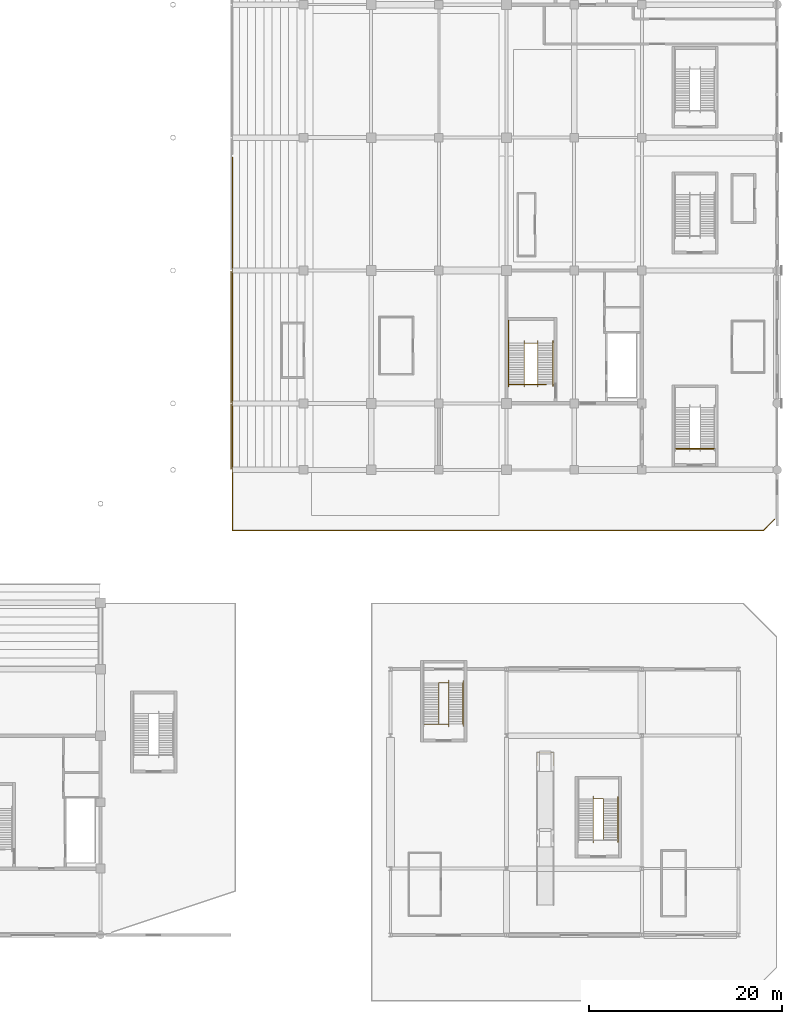
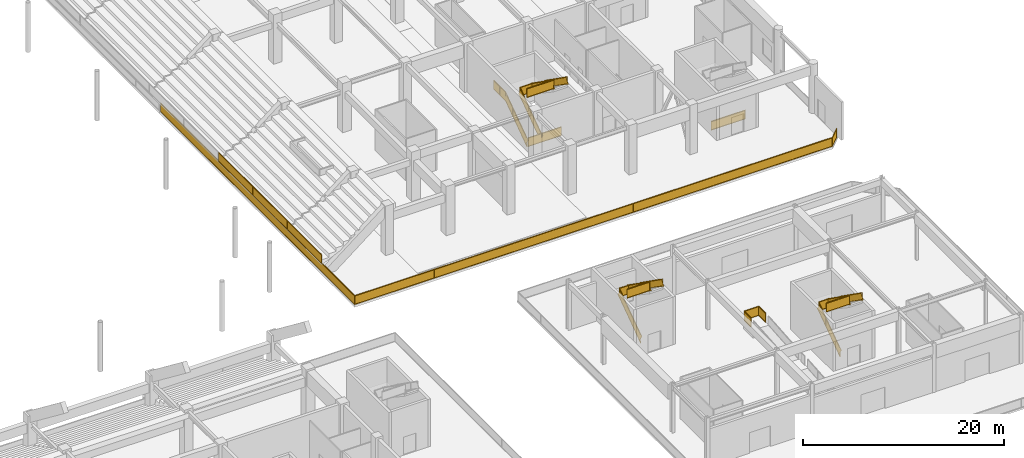
# One storey, part 64 of 73: 14 railings.
"""IFC4 building model written with IfcOpenShell, lengths in metres."""

from ifc_helpers import new_model, si_unit, direction, frame, origin, origin_2d, place, context, subcontext, project, spatial, rectangle, extrude, material, type_object, element, save


model = new_model("IFC4")

# Units and contexts
model_context = context("Model", 3, precision=1e-05, world=origin(), true_north=direction((0.0, 1.0)))
body_context = subcontext(model_context, "Body", "Model", "MODEL_VIEW")
ifc_project = project(units=[si_unit("LENGTHUNIT", "METRE"), si_unit("AREAUNIT", "SQUARE_METRE"), si_unit("VOLUMEUNIT", "CUBIC_METRE"), si_unit("PLANEANGLEUNIT", "RADIAN"), si_unit("MASSUNIT", "GRAM", prefix="KILO")], contexts=[model_context])

# Site, building, storey
site_placement = place(None, origin())
site = spatial("IfcSite", under=ifc_project, at=site_placement, CompositionType="ELEMENT")
building_placement = place(site_placement, origin())
building = spatial("IfcBuilding", under=site, at=building_placement, Name="Linyun Crest Stadium", CompositionType="ELEMENT")
storey_placement = place(building_placement, origin())
storey = spatial("IfcBuildingStorey", under=building, at=storey_placement, Name="L01", CompositionType="ELEMENT", Elevation=0.0)

# Railings
ifc_material_1 = material(Name="Verdigris painted steel botanical balustrade", Category="steel")
railing_type_1 = type_object("IfcRailingType", Name="GR01", PredefinedType="BALUSTRADE", material=ifc_material_1)
railing_1_placement = place(storey_placement, frame((73.159912109375, -76.6220703125, 1.0)))
element("IfcRailing", 1, at=railing_1_placement, inside=storey, type_object=railing_type_1, Name="Slab edge balustrade GR01 405", PredefinedType="BALUSTRADE", context=body_context, shape_type="SweptSolid", body=[
    extrude(rectangle(XDim=0.06005859375, YDim=0.06005859375, at=origin_2d()), frame((0.0, 0.0, 1.119873046875), z_axis=(0.0, 1.0, 0.0), x_axis=(-1.0, 0.0, 0.0)), (0.0, 0.0, 1.0), 1.362060546875),
    extrude(rectangle(XDim=0.030029296875, YDim=1.02978515625, at=origin_2d()), frame((0.0, 0.0, 0.574951171875), z_axis=(0.0, 1.0, 0.0), x_axis=(-1.0, 0.0, 0.0)), (0.0, 0.0, 1.0), 1.362060546875),
    extrude(rectangle(XDim=0.06005859375, YDim=0.06005859375, at=origin_2d()), frame((0.0, 0.0, 0.030029296875), z_axis=(0.0, 1.0, 0.0), x_axis=(-1.0, 0.0, 0.0)), (0.0, 0.0, 1.0), 1.362060546875),
    extrude(rectangle(XDim=0.06005859375, YDim=0.06005859375, at=origin_2d()), frame((0.0, 1.362060546875, 1.119873046875), z_axis=(1.0, 0.0, 0.0), x_axis=(0.0, 1.0, 0.0)), (0.0, 0.0, 1.0), 1.68017578125),
    extrude(rectangle(XDim=0.030029296875, YDim=1.02978515625, at=origin_2d()), frame((0.0, 1.362060546875, 0.574951171875), z_axis=(1.0, 0.0, 0.0), x_axis=(0.0, 1.0, 0.0)), (0.0, 0.0, 1.0), 1.68017578125),
    extrude(rectangle(XDim=0.06005859375, YDim=0.06005859375, at=origin_2d()), frame((0.0, 1.362060546875, 0.030029296875), z_axis=(1.0, 0.0, 0.0), x_axis=(0.0, 1.0, 0.0)), (0.0, 0.0, 1.0), 1.68017578125),
    extrude(rectangle(XDim=0.06005859375, YDim=0.06005859375, at=origin_2d()), frame((1.68017578125, 1.362060546875, 1.119873046875), z_axis=(0.0, -1.0, 0.0), x_axis=(1.0, 0.0, 0.0)), (0.0, 0.0, 1.0), 1.362060546875),
    extrude(rectangle(XDim=0.030029296875, YDim=1.02978515625, at=origin_2d()), frame((1.68017578125, 1.362060546875, 0.574951171875), z_axis=(0.0, -1.0, 0.0), x_axis=(1.0, 0.0, 0.0)), (0.0, 0.0, 1.0), 1.362060546875),
    extrude(rectangle(XDim=0.06005859375, YDim=0.06005859375, at=origin_2d()), frame((1.68017578125, 1.362060546875, 0.030029296875), z_axis=(0.0, -1.0, 0.0), x_axis=(1.0, 0.0, 0.0)), (0.0, 0.0, 1.0), 1.362060546875),
    extrude(rectangle(XDim=0.050048828125, YDim=0.050048828125, at=origin_2d()), origin(), (0.0, 0.0, 1.0), 1.14990234375),
    extrude(rectangle(XDim=0.050048828125, YDim=0.050048828125, at=origin_2d()), frame((0.0, 1.362060546875, 0.0)), (0.0, 0.0, 1.0), 1.14990234375),
    extrude(rectangle(XDim=0.050048828125, YDim=0.050048828125, at=origin_2d()), frame((1.68017578125, 1.362060546875, 0.0)), (0.0, 0.0, 1.0), 1.14990234375),
    extrude(rectangle(XDim=0.050048828125, YDim=0.050048828125, at=origin_2d()), frame((1.68017578125, 0.0, 0.0)), (0.0, 0.0, 1.0), 1.14990234375),
])
ifc_material_2 = material(Name="Galvanized and powder-coated steel bowl safety barrier", Category="steel")
railing_type_2 = type_object("IfcRailingType", Name="GR02", PredefinedType="GUARDRAIL", material=ifc_material_2)
railing_2_placement = place(storey_placement, frame((41.5, -45.919921875, 1.199951171875)))
element("IfcRailing", 2, at=railing_2_placement, inside=storey, type_object=railing_type_2, Name="Bowl front safety guard GR02 5", PredefinedType="GUARDRAIL", context=body_context, shape_type="SweptSolid", body=[
    extrude(rectangle(XDim=0.06005859375, YDim=0.06005859375, at=origin_2d()), frame((0.0, 0.0, 1.090087890625), z_axis=(0.0, 1.0, 0.0), x_axis=(-1.0, 0.0, 0.0)), (0.0, 0.0, 1.0), 6.71484375),
    extrude(rectangle(XDim=0.030029296875, YDim=1.0, at=origin_2d()), frame((0.0, 0.0, 0.56005859375), z_axis=(0.0, 1.0, 0.0), x_axis=(-1.0, 0.0, 0.0)), (0.0, 0.0, 1.0), 6.71484375),
    extrude(rectangle(XDim=0.06005859375, YDim=0.06005859375, at=origin_2d()), frame((0.0, 0.0, 0.030029296875), z_axis=(0.0, 1.0, 0.0), x_axis=(-1.0, 0.0, 0.0)), (0.0, 0.0, 1.0), 6.71484375),
    extrude(rectangle(XDim=0.050048828125, YDim=0.050048828125, at=origin_2d()), origin(), (0.0, 0.0, 1.0), 1.1201171875),
    extrude(rectangle(XDim=0.050048828125, YDim=0.050048828125, at=origin_2d()), frame((0.0, 2.23828125, 0.0)), (0.0, 0.0, 1.0), 1.1201171875),
    extrude(rectangle(XDim=0.050048828125, YDim=0.050048828125, at=origin_2d()), frame((0.0, 4.4765625, 0.0)), (0.0, 0.0, 1.0), 1.1201171875),
    extrude(rectangle(XDim=0.050048828125, YDim=0.050048828125, at=origin_2d()), frame((0.0, 6.71484375, 0.0)), (0.0, 0.0, 1.0), 1.1201171875),
])
railing_3_placement = place(storey_placement, frame((41.5, -39.044921875, 1.199951171875)))
element("IfcRailing", 3, at=railing_3_placement, inside=storey, type_object=railing_type_2, Name="Bowl front safety guard GR02 13", PredefinedType="GUARDRAIL", context=body_context, shape_type="SweptSolid", body=[
    extrude(rectangle(XDim=0.06005859375, YDim=0.06005859375, at=origin_2d()), frame((0.0, 0.0, 1.090087890625), z_axis=(0.0, 1.0, 0.0), x_axis=(-1.0, 0.0, 0.0)), (0.0, 0.0, 1.0), 13.58984375),
    extrude(rectangle(XDim=0.030029296875, YDim=1.0, at=origin_2d()), frame((0.0, 0.0, 0.56005859375), z_axis=(0.0, 1.0, 0.0), x_axis=(-1.0, 0.0, 0.0)), (0.0, 0.0, 1.0), 13.58984375),
    extrude(rectangle(XDim=0.06005859375, YDim=0.06005859375, at=origin_2d()), frame((0.0, 0.0, 0.030029296875), z_axis=(0.0, 1.0, 0.0), x_axis=(-1.0, 0.0, 0.0)), (0.0, 0.0, 1.0), 13.58984375),
    extrude(rectangle(XDim=0.050048828125, YDim=0.050048828125, at=origin_2d()), origin(), (0.0, 0.0, 1.0), 1.1201171875),
    extrude(rectangle(XDim=0.050048828125, YDim=0.050048828125, at=origin_2d()), frame((0.0, 2.264892578125, 0.0)), (0.0, 0.0, 1.0), 1.1201171875),
    extrude(rectangle(XDim=0.050048828125, YDim=0.050048828125, at=origin_2d()), frame((0.0, 4.530029296875, 0.0)), (0.0, 0.0, 1.0), 1.1201171875),
    extrude(rectangle(XDim=0.050048828125, YDim=0.050048828125, at=origin_2d()), frame((0.0, 6.794921875, 0.0)), (0.0, 0.0, 1.0), 1.1201171875),
    extrude(rectangle(XDim=0.050048828125, YDim=0.050048828125, at=origin_2d()), frame((0.0, 9.059814453125, 0.0)), (0.0, 0.0, 1.0), 1.1201171875),
    extrude(rectangle(XDim=0.050048828125, YDim=0.050048828125, at=origin_2d()), frame((0.0, 11.324951171875, 0.0)), (0.0, 0.0, 1.0), 1.1201171875),
    extrude(rectangle(XDim=0.050048828125, YDim=0.050048828125, at=origin_2d()), frame((0.0, 13.58984375, 0.0)), (0.0, 0.0, 1.0), 1.1201171875),
])
railing_4_placement = place(storey_placement, frame((41.659912109375, -52.27490234375, 0.0)))
element("IfcRailing", 4, at=railing_4_placement, inside=storey, type_object=railing_type_2, Name="Slab edge balustrade GR02 100", PredefinedType="GUARDRAIL", context=body_context, shape_type="SweptSolid", body=[
    extrude(rectangle(XDim=0.06005859375, YDim=0.06005859375, at=origin_2d()), frame((0.0, 0.0, 1.090087890625), z_axis=(0.0, 1.0, 0.0), x_axis=(-1.0, 0.0, 0.0)), (0.0, 0.0, 1.0), 38.60498046875),
    extrude(rectangle(XDim=0.030029296875, YDim=1.0, at=origin_2d()), frame((0.0, 0.0, 0.56005859375), z_axis=(0.0, 1.0, 0.0), x_axis=(-1.0, 0.0, 0.0)), (0.0, 0.0, 1.0), 38.60498046875),
    extrude(rectangle(XDim=0.06005859375, YDim=0.06005859375, at=origin_2d()), frame((0.0, 0.0, 0.030029296875), z_axis=(0.0, 1.0, 0.0), x_axis=(-1.0, 0.0, 0.0)), (0.0, 0.0, 1.0), 38.60498046875),
    extrude(rectangle(XDim=0.050048828125, YDim=0.050048828125, at=origin_2d()), origin(), (0.0, 0.0, 1.0), 1.1201171875),
    extrude(rectangle(XDim=0.050048828125, YDim=0.050048828125, at=origin_2d()), frame((0.0, 4.28955078125, 0.0)), (0.0, 0.0, 1.0), 1.1201171875),
    extrude(rectangle(XDim=0.050048828125, YDim=0.050048828125, at=origin_2d()), frame((0.0, 8.578857421875, 0.0)), (0.0, 0.0, 1.0), 1.1201171875),
    extrude(rectangle(XDim=0.050048828125, YDim=0.050048828125, at=origin_2d()), frame((0.0, 12.868408203125, 0.0)), (0.0, 0.0, 1.0), 1.1201171875),
    extrude(rectangle(XDim=0.050048828125, YDim=0.050048828125, at=origin_2d()), frame((0.0, 17.15771484375, 0.0)), (0.0, 0.0, 1.0), 1.1201171875),
    extrude(rectangle(XDim=0.050048828125, YDim=0.050048828125, at=origin_2d()), frame((0.0, 21.447265625, 0.0)), (0.0, 0.0, 1.0), 1.1201171875),
    extrude(rectangle(XDim=0.050048828125, YDim=0.050048828125, at=origin_2d()), frame((0.0, 25.736572265625, 0.0)), (0.0, 0.0, 1.0), 1.1201171875),
    extrude(rectangle(XDim=0.050048828125, YDim=0.050048828125, at=origin_2d()), frame((0.0, 30.026123046875, 0.0)), (0.0, 0.0, 1.0), 1.1201171875),
    extrude(rectangle(XDim=0.050048828125, YDim=0.050048828125, at=origin_2d()), frame((0.0, 34.3154296875, 0.0)), (0.0, 0.0, 1.0), 1.1201171875),
    extrude(rectangle(XDim=0.050048828125, YDim=0.050048828125, at=origin_2d()), frame((0.0, 38.60498046875, 0.0)), (0.0, 0.0, 1.0), 1.1201171875),
])
railing_5_placement = place(storey_placement, frame((97.739990234375, -51.110107421875, 0.0)))
element("IfcRailing", 5, at=railing_5_placement, inside=storey, type_object=railing_type_2, Name="Slab edge balustrade GR02 103", PredefinedType="GUARDRAIL", context=body_context, shape_type="SweptSolid", body=[
    extrude(rectangle(XDim=0.06005859375, YDim=0.06005859375, at=origin_2d()), frame((0.0, 0.0, 1.090087890625), z_axis=(-0.707180874211, -0.707032680398, 0.0), x_axis=(0.707032680398, -0.707180874211, 0.0)), (0.0, 0.0, 1.0), 1.6474609375),
    extrude(rectangle(XDim=0.030029296875, YDim=1.0, at=origin_2d()), frame((0.0, 0.0, 0.56005859375), z_axis=(-0.707180874211, -0.707032680398, 0.0), x_axis=(0.707032680398, -0.707180874211, 0.0)), (0.0, 0.0, 1.0), 1.6474609375),
    extrude(rectangle(XDim=0.06005859375, YDim=0.06005859375, at=origin_2d()), frame((0.0, 0.0, 0.030029296875), z_axis=(-0.707180874211, -0.707032680398, 0.0), x_axis=(0.707032680398, -0.707180874211, 0.0)), (0.0, 0.0, 1.0), 1.6474609375),
    extrude(rectangle(XDim=0.06005859375, YDim=0.06005859375, at=origin_2d()), frame((-1.1650390625, -1.164794921875, 1.090087890625), z_axis=(-1.0, 0.0, 0.0), x_axis=(0.0, -1.0, 0.0)), (0.0, 0.0, 1.0), 54.9150390625),
    extrude(rectangle(XDim=0.030029296875, YDim=1.0, at=origin_2d()), frame((-1.1650390625, -1.164794921875, 0.56005859375), z_axis=(-1.0, 0.0, 0.0), x_axis=(0.0, -1.0, 0.0)), (0.0, 0.0, 1.0), 54.9150390625),
    extrude(rectangle(XDim=0.06005859375, YDim=0.06005859375, at=origin_2d()), frame((-1.1650390625, -1.164794921875, 0.030029296875), z_axis=(-1.0, 0.0, 0.0), x_axis=(0.0, -1.0, 0.0)), (0.0, 0.0, 1.0), 54.9150390625),
    extrude(rectangle(XDim=0.050048828125, YDim=0.050048828125, at=origin_2d()), origin(), (0.0, 0.0, 1.0), 1.1201171875),
    extrude(rectangle(XDim=0.050048828125, YDim=0.050048828125, at=origin_2d()), frame((-1.1650390625, -1.164794921875, 0.0)), (0.0, 0.0, 1.0), 1.1201171875),
    extrude(rectangle(XDim=0.050048828125, YDim=0.050048828125, at=origin_2d()), frame((-5.7412109375, -1.164794921875, 0.0)), (0.0, 0.0, 1.0), 1.1201171875),
    extrude(rectangle(XDim=0.050048828125, YDim=0.050048828125, at=origin_2d()), frame((-10.317626953125, -1.164794921875, 0.0)), (0.0, 0.0, 1.0), 1.1201171875),
    extrude(rectangle(XDim=0.050048828125, YDim=0.050048828125, at=origin_2d()), frame((-14.893798828125, -1.164794921875, 0.0)), (0.0, 0.0, 1.0), 1.1201171875),
    extrude(rectangle(XDim=0.050048828125, YDim=0.050048828125, at=origin_2d()), frame((-19.469970703125, -1.164794921875, 0.0)), (0.0, 0.0, 1.0), 1.1201171875),
    extrude(rectangle(XDim=0.050048828125, YDim=0.050048828125, at=origin_2d()), frame((-24.04638671875, -1.164794921875, 0.0)), (0.0, 0.0, 1.0), 1.1201171875),
    extrude(rectangle(XDim=0.050048828125, YDim=0.050048828125, at=origin_2d()), frame((-28.62255859375, -1.164794921875, 0.0)), (0.0, 0.0, 1.0), 1.1201171875),
    extrude(rectangle(XDim=0.050048828125, YDim=0.050048828125, at=origin_2d()), frame((-33.19873046875, -1.164794921875, 0.0)), (0.0, 0.0, 1.0), 1.1201171875),
    extrude(rectangle(XDim=0.050048828125, YDim=0.050048828125, at=origin_2d()), frame((-37.775146484375, -1.164794921875, 0.0)), (0.0, 0.0, 1.0), 1.1201171875),
    extrude(rectangle(XDim=0.050048828125, YDim=0.050048828125, at=origin_2d()), frame((-42.351318359375, -1.164794921875, 0.0)), (0.0, 0.0, 1.0), 1.1201171875),
    extrude(rectangle(XDim=0.050048828125, YDim=0.050048828125, at=origin_2d()), frame((-46.927490234375, -1.164794921875, 0.0)), (0.0, 0.0, 1.0), 1.1201171875),
    extrude(rectangle(XDim=0.050048828125, YDim=0.050048828125, at=origin_2d()), frame((-51.50390625, -1.164794921875, 0.0)), (0.0, 0.0, 1.0), 1.1201171875),
    extrude(rectangle(XDim=0.050048828125, YDim=0.050048828125, at=origin_2d()), frame((-56.080078125, -1.164794921875, 0.0)), (0.0, 0.0, 1.0), 1.1201171875),
])
railing_6_placement = place(storey_placement, frame((87.5400390625, -43.81005859375, 0.0)))
element("IfcRailing", 6, at=railing_6_placement, inside=storey, type_object=railing_type_2, Name="Slab edge balustrade GR02 104", PredefinedType="GUARDRAIL", context=body_context, shape_type="SweptSolid", body=[
    extrude(rectangle(XDim=0.06005859375, YDim=0.06005859375, at=origin_2d()), frame((0.0, 0.0, 1.090087890625), z_axis=(1.0, 0.0, 0.0), x_axis=(0.0, 1.0, 0.0)), (0.0, 0.0, 1.0), 3.919921875),
    extrude(rectangle(XDim=0.030029296875, YDim=1.0, at=origin_2d()), frame((0.0, 0.0, 0.56005859375), z_axis=(1.0, 0.0, 0.0), x_axis=(0.0, 1.0, 0.0)), (0.0, 0.0, 1.0), 3.919921875),
    extrude(rectangle(XDim=0.06005859375, YDim=0.06005859375, at=origin_2d()), frame((0.0, 0.0, 0.030029296875), z_axis=(1.0, 0.0, 0.0), x_axis=(0.0, 1.0, 0.0)), (0.0, 0.0, 1.0), 3.919921875),
    extrude(rectangle(XDim=0.050048828125, YDim=0.050048828125, at=origin_2d()), origin(), (0.0, 0.0, 1.0), 1.1201171875),
    extrude(rectangle(XDim=0.050048828125, YDim=0.050048828125, at=origin_2d()), frame((3.919921875, 0.0, 0.0)), (0.0, 0.0, 1.0), 1.1201171875),
])
railing_7_placement = place(storey_placement, frame((70.31494140625, -37.1650390625, 0.0)))
element("IfcRailing", 7, at=railing_7_placement, inside=storey, type_object=railing_type_2, Name="Slab edge balustrade GR02 106", PredefinedType="GUARDRAIL", context=body_context, shape_type="SweptSolid", body=[
    extrude(rectangle(XDim=0.06005859375, YDim=0.06005859375, at=origin_2d()), frame((0.0, 0.0, 1.090087890625), z_axis=(1.0, 0.0, 0.0), x_axis=(0.0, 1.0, 0.0)), (0.0, 0.0, 1.0), 3.78515625),
    extrude(rectangle(XDim=0.030029296875, YDim=1.0, at=origin_2d()), frame((0.0, 0.0, 0.56005859375), z_axis=(1.0, 0.0, 0.0), x_axis=(0.0, 1.0, 0.0)), (0.0, 0.0, 1.0), 3.78515625),
    extrude(rectangle(XDim=0.06005859375, YDim=0.06005859375, at=origin_2d()), frame((0.0, 0.0, 0.030029296875), z_axis=(1.0, 0.0, 0.0), x_axis=(0.0, 1.0, 0.0)), (0.0, 0.0, 1.0), 3.78515625),
    extrude(rectangle(XDim=0.050048828125, YDim=0.050048828125, at=origin_2d()), origin(), (0.0, 0.0, 1.0), 1.1201171875),
    extrude(rectangle(XDim=0.050048828125, YDim=0.050048828125, at=origin_2d()), frame((3.78515625, 0.0, 0.0)), (0.0, 0.0, 1.0), 1.1201171875),
])
ifc_material_3 = material(Name="Painted steel stairwell safety guard", Category="steel")
railing_type_3 = type_object("IfcRailingType", Name="GR03", PredefinedType="GUARDRAIL", material=ifc_material_3)
railing_8_placement = place(storey_placement, frame((70.205078125, -37.135009765625, 0.0)))
element("IfcRailing", 8, at=railing_8_placement, inside=storey, type_object=railing_type_3, Name="STR-04-L01 outer guard", PredefinedType="GUARDRAIL", context=body_context, shape_type="SweptSolid", body=[
    extrude(rectangle(XDim=0.06005859375, YDim=0.06005859375, at=origin_2d()), frame((0.0, 0.0, 1.090087890625), z_axis=(0.0, 0.816967863265, 0.576683197599), x_axis=(-1.0, 0.0, 0.0)), (0.0, 0.0, 1.0), 5.2021484375),
    extrude(rectangle(XDim=0.030029296875, YDim=1.0, at=origin_2d()), frame((0.0, 0.0, 0.56005859375), z_axis=(0.0, 0.816967863265, 0.576683197599), x_axis=(-1.0, 0.0, 0.0)), (0.0, 0.0, 1.0), 5.2021484375),
    extrude(rectangle(XDim=0.06005859375, YDim=0.06005859375, at=origin_2d()), frame((0.0, 0.0, 0.030029296875), z_axis=(0.0, 0.816967863265, 0.576683197599), x_axis=(-1.0, 0.0, 0.0)), (0.0, 0.0, 1.0), 5.2021484375),
    extrude(rectangle(XDim=0.06005859375, YDim=0.06005859375, at=origin_2d()), frame((0.0, 4.25, 4.090087890625), z_axis=(0.0, 1.0, 0.0), x_axis=(-1.0, 0.0, 0.0)), (0.0, 0.0, 1.0), 2.330078125),
    extrude(rectangle(XDim=0.030029296875, YDim=1.0, at=origin_2d()), frame((0.0, 4.25, 3.56005859375), z_axis=(0.0, 1.0, 0.0), x_axis=(-1.0, 0.0, 0.0)), (0.0, 0.0, 1.0), 2.330078125),
    extrude(rectangle(XDim=0.06005859375, YDim=0.06005859375, at=origin_2d()), frame((0.0, 4.25, 3.030029296875), z_axis=(0.0, 1.0, 0.0), x_axis=(-1.0, 0.0, 0.0)), (0.0, 0.0, 1.0), 2.330078125),
    extrude(rectangle(XDim=0.050048828125, YDim=0.050048828125, at=origin_2d()), origin(), (0.0, 0.0, 1.0), 1.1201171875),
    extrude(rectangle(XDim=0.050048828125, YDim=0.050048828125, at=origin_2d()), frame((0.0, 1.416748046875, 1.0)), (0.0, 0.0, 1.0), 1.1201171875),
    extrude(rectangle(XDim=0.050048828125, YDim=0.050048828125, at=origin_2d()), frame((0.0, 2.833251953125, 2.0)), (0.0, 0.0, 1.0), 1.1201171875),
    extrude(rectangle(XDim=0.050048828125, YDim=0.050048828125, at=origin_2d()), frame((0.0, 4.25, 3.0)), (0.0, 0.0, 1.0), 1.1201171875),
    extrude(rectangle(XDim=0.050048828125, YDim=0.050048828125, at=origin_2d()), frame((0.0, 5.4150390625, 3.0)), (0.0, 0.0, 1.0), 1.1201171875),
    extrude(rectangle(XDim=0.050048828125, YDim=0.050048828125, at=origin_2d()), frame((0.0, 6.580078125, 3.0)), (0.0, 0.0, 1.0), 1.1201171875),
])
railing_9_placement = place(storey_placement, frame((71.844970703125, -37.155029296875, 0.0)))
element("IfcRailing", 9, at=railing_9_placement, inside=storey, type_object=railing_type_3, Name="STR-04-L01 inner well guard", PredefinedType="GUARDRAIL", context=body_context, shape_type="SweptSolid", body=[
    extrude(rectangle(XDim=0.06005859375, YDim=0.06005859375, at=origin_2d()), frame((0.0, 0.0, 1.090087890625), z_axis=(0.0, 0.818241657069, 0.574874412926), x_axis=(-1.0, 0.0, 0.0)), (0.0, 0.0, 1.0), 5.218505859375),
    extrude(rectangle(XDim=0.030029296875, YDim=1.0, at=origin_2d()), frame((0.0, 0.0, 0.56005859375), z_axis=(0.0, 0.818241657069, 0.574874412926), x_axis=(-1.0, 0.0, 0.0)), (0.0, 0.0, 1.0), 5.218505859375),
    extrude(rectangle(XDim=0.06005859375, YDim=0.06005859375, at=origin_2d()), frame((0.0, 0.0, 0.030029296875), z_axis=(0.0, 0.818241657069, 0.574874412926), x_axis=(-1.0, 0.0, 0.0)), (0.0, 0.0, 1.0), 5.218505859375),
    extrude(rectangle(XDim=0.06005859375, YDim=0.06005859375, at=origin_2d()), frame((0.0, 4.27001953125, 4.090087890625), z_axis=(1.0, 0.0, 0.0), x_axis=(0.0, 1.0, 0.0)), (0.0, 0.0, 1.0), 1.385009765625),
    extrude(rectangle(XDim=0.030029296875, YDim=1.0, at=origin_2d()), frame((0.0, 4.27001953125, 3.56005859375), z_axis=(1.0, 0.0, 0.0), x_axis=(0.0, 1.0, 0.0)), (0.0, 0.0, 1.0), 1.385009765625),
    extrude(rectangle(XDim=0.06005859375, YDim=0.06005859375, at=origin_2d()), frame((0.0, 4.27001953125, 3.030029296875), z_axis=(1.0, 0.0, 0.0), x_axis=(0.0, 1.0, 0.0)), (0.0, 0.0, 1.0), 1.385009765625),
    extrude(rectangle(XDim=0.06005859375, YDim=0.06005859375, at=origin_2d()), frame((1.385009765625, 4.27001953125, 4.090087890625), z_axis=(0.0, -0.818241657069, 0.574874412926), x_axis=(1.0, 0.0, 0.0)), (0.0, 0.0, 1.0), 5.218505859375),
    extrude(rectangle(XDim=0.030029296875, YDim=1.0, at=origin_2d()), frame((1.385009765625, 4.27001953125, 3.56005859375), z_axis=(0.0, -0.818241657069, 0.574874412926), x_axis=(1.0, 0.0, 0.0)), (0.0, 0.0, 1.0), 5.218505859375),
    extrude(rectangle(XDim=0.06005859375, YDim=0.06005859375, at=origin_2d()), frame((1.385009765625, 4.27001953125, 3.030029296875), z_axis=(0.0, -0.818241657069, 0.574874412926), x_axis=(1.0, 0.0, 0.0)), (0.0, 0.0, 1.0), 5.218505859375),
    extrude(rectangle(XDim=0.06005859375, YDim=0.06005859375, at=origin_2d()), frame((1.385009765625, 0.0, 7.090087890625), z_axis=(-1.0, 0.0, 0.0), x_axis=(0.0, -1.0, 0.0)), (0.0, 0.0, 1.0), 3.034912109375),
    extrude(rectangle(XDim=0.030029296875, YDim=1.0, at=origin_2d()), frame((1.385009765625, 0.0, 6.56005859375), z_axis=(-1.0, 0.0, 0.0), x_axis=(0.0, -1.0, 0.0)), (0.0, 0.0, 1.0), 3.034912109375),
    extrude(rectangle(XDim=0.06005859375, YDim=0.06005859375, at=origin_2d()), frame((1.385009765625, 0.0, 6.030029296875), z_axis=(-1.0, 0.0, 0.0), x_axis=(0.0, -1.0, 0.0)), (0.0, 0.0, 1.0), 3.034912109375),
    extrude(rectangle(XDim=0.050048828125, YDim=0.050048828125, at=origin_2d()), origin(), (0.0, 0.0, 1.0), 1.1201171875),
    extrude(rectangle(XDim=0.050048828125, YDim=0.050048828125, at=origin_2d()), frame((0.0, 1.42333984375, 1.0)), (0.0, 0.0, 1.0), 1.1201171875),
    extrude(rectangle(XDim=0.050048828125, YDim=0.050048828125, at=origin_2d()), frame((0.0, 2.8466796875, 2.0)), (0.0, 0.0, 1.0), 1.1201171875),
    extrude(rectangle(XDim=0.050048828125, YDim=0.050048828125, at=origin_2d()), frame((0.0, 4.27001953125, 3.0)), (0.0, 0.0, 1.0), 1.1201171875),
    extrude(rectangle(XDim=0.050048828125, YDim=0.050048828125, at=origin_2d()), frame((1.385009765625, 4.27001953125, 3.0)), (0.0, 0.0, 1.0), 1.1201171875),
    extrude(rectangle(XDim=0.050048828125, YDim=0.050048828125, at=origin_2d()), frame((1.385009765625, 2.8466796875, 4.0)), (0.0, 0.0, 1.0), 1.1201171875),
    extrude(rectangle(XDim=0.050048828125, YDim=0.050048828125, at=origin_2d()), frame((1.385009765625, 1.42333984375, 5.0)), (0.0, 0.0, 1.0), 1.1201171875),
    extrude(rectangle(XDim=0.050048828125, YDim=0.050048828125, at=origin_2d()), frame((1.385009765625, 0.0, 6.0)), (0.0, 0.0, 1.0), 1.1201171875),
    extrude(rectangle(XDim=0.050048828125, YDim=0.050048828125, at=origin_2d()), frame((-0.13232421875, 0.0, 6.0)), (0.0, 0.0, 1.0), 1.1201171875),
    extrude(rectangle(XDim=0.050048828125, YDim=0.050048828125, at=origin_2d()), frame((-1.64990234375, 0.0, 6.0)), (0.0, 0.0, 1.0), 1.1201171875),
])
railing_10_placement = place(storey_placement, frame((78.969970703125, -84.300048828125, 0.0)))
element("IfcRailing", 10, at=railing_10_placement, inside=storey, type_object=railing_type_3, Name="STR-31-L01 inner well guard", PredefinedType="GUARDRAIL", context=body_context, shape_type="SweptSolid", body=[
    extrude(rectangle(XDim=0.06005859375, YDim=0.06005859375, at=origin_2d()), frame((0.0, 0.0, 1.090087890625), z_axis=(0.0, 0.818241657069, 0.574874412926), x_axis=(-1.0, 0.0, 0.0)), (0.0, 0.0, 1.0), 5.218505859375),
    extrude(rectangle(XDim=0.030029296875, YDim=1.0, at=origin_2d()), frame((0.0, 0.0, 0.56005859375), z_axis=(0.0, 0.818241657069, 0.574874412926), x_axis=(-1.0, 0.0, 0.0)), (0.0, 0.0, 1.0), 5.218505859375),
    extrude(rectangle(XDim=0.06005859375, YDim=0.06005859375, at=origin_2d()), frame((0.0, 0.0, 0.030029296875), z_axis=(0.0, 0.818241657069, 0.574874412926), x_axis=(-1.0, 0.0, 0.0)), (0.0, 0.0, 1.0), 5.218505859375),
    extrude(rectangle(XDim=0.06005859375, YDim=0.06005859375, at=origin_2d()), frame((0.0, 4.27001953125, 4.090087890625), z_axis=(1.0, 0.0, 0.0), x_axis=(0.0, 1.0, 0.0)), (0.0, 0.0, 1.0), 1.06005859375),
    extrude(rectangle(XDim=0.030029296875, YDim=1.0, at=origin_2d()), frame((0.0, 4.27001953125, 3.56005859375), z_axis=(1.0, 0.0, 0.0), x_axis=(0.0, 1.0, 0.0)), (0.0, 0.0, 1.0), 1.06005859375),
    extrude(rectangle(XDim=0.06005859375, YDim=0.06005859375, at=origin_2d()), frame((0.0, 4.27001953125, 3.030029296875), z_axis=(1.0, 0.0, 0.0), x_axis=(0.0, 1.0, 0.0)), (0.0, 0.0, 1.0), 1.06005859375),
    extrude(rectangle(XDim=0.06005859375, YDim=0.06005859375, at=origin_2d()), frame((1.06005859375, 4.27001953125, 4.090087890625), z_axis=(0.0, -0.818241657069, 0.574874412926), x_axis=(1.0, 0.0, 0.0)), (0.0, 0.0, 1.0), 5.218505859375),
    extrude(rectangle(XDim=0.030029296875, YDim=1.0, at=origin_2d()), frame((1.06005859375, 4.27001953125, 3.56005859375), z_axis=(0.0, -0.818241657069, 0.574874412926), x_axis=(1.0, 0.0, 0.0)), (0.0, 0.0, 1.0), 5.218505859375),
    extrude(rectangle(XDim=0.06005859375, YDim=0.06005859375, at=origin_2d()), frame((1.06005859375, 4.27001953125, 3.030029296875), z_axis=(0.0, -0.818241657069, 0.574874412926), x_axis=(1.0, 0.0, 0.0)), (0.0, 0.0, 1.0), 5.218505859375),
    extrude(rectangle(XDim=0.06005859375, YDim=0.06005859375, at=origin_2d()), frame((1.06005859375, 0.0, 7.090087890625), z_axis=(-1.0, 0.0, 0.0), x_axis=(0.0, -1.0, 0.0)), (0.0, 0.0, 1.0), 2.610107421875),
    extrude(rectangle(XDim=0.030029296875, YDim=1.0, at=origin_2d()), frame((1.06005859375, 0.0, 6.56005859375), z_axis=(-1.0, 0.0, 0.0), x_axis=(0.0, -1.0, 0.0)), (0.0, 0.0, 1.0), 2.610107421875),
    extrude(rectangle(XDim=0.06005859375, YDim=0.06005859375, at=origin_2d()), frame((1.06005859375, 0.0, 6.030029296875), z_axis=(-1.0, 0.0, 0.0), x_axis=(0.0, -1.0, 0.0)), (0.0, 0.0, 1.0), 2.610107421875),
    extrude(rectangle(XDim=0.050048828125, YDim=0.050048828125, at=origin_2d()), origin(), (0.0, 0.0, 1.0), 1.1201171875),
    extrude(rectangle(XDim=0.050048828125, YDim=0.050048828125, at=origin_2d()), frame((0.0, 1.42333984375, 1.0)), (0.0, 0.0, 1.0), 1.1201171875),
    extrude(rectangle(XDim=0.050048828125, YDim=0.050048828125, at=origin_2d()), frame((0.0, 2.8466796875, 2.0)), (0.0, 0.0, 1.0), 1.1201171875),
    extrude(rectangle(XDim=0.050048828125, YDim=0.050048828125, at=origin_2d()), frame((0.0, 4.27001953125, 3.0)), (0.0, 0.0, 1.0), 1.1201171875),
    extrude(rectangle(XDim=0.050048828125, YDim=0.050048828125, at=origin_2d()), frame((1.06005859375, 4.27001953125, 3.0)), (0.0, 0.0, 1.0), 1.1201171875),
    extrude(rectangle(XDim=0.050048828125, YDim=0.050048828125, at=origin_2d()), frame((1.06005859375, 2.8466796875, 4.0)), (0.0, 0.0, 1.0), 1.1201171875),
    extrude(rectangle(XDim=0.050048828125, YDim=0.050048828125, at=origin_2d()), frame((1.06005859375, 1.42333984375, 5.0)), (0.0, 0.0, 1.0), 1.1201171875),
    extrude(rectangle(XDim=0.050048828125, YDim=0.050048828125, at=origin_2d()), frame((1.06005859375, 0.0, 6.0)), (0.0, 0.0, 1.0), 1.1201171875),
    extrude(rectangle(XDim=0.050048828125, YDim=0.050048828125, at=origin_2d()), frame((-0.2451171875, 0.0, 6.0)), (0.0, 0.0, 1.0), 1.1201171875),
    extrude(rectangle(XDim=0.050048828125, YDim=0.050048828125, at=origin_2d()), frame((-1.550048828125, 0.0, 6.0)), (0.0, 0.0, 1.0), 1.1201171875),
])
railing_11_placement = place(storey_placement, frame((62.969970703125, -72.300048828125, 0.0)))
element("IfcRailing", 11, at=railing_11_placement, inside=storey, type_object=railing_type_3, Name="STR-32-L01 inner well guard", PredefinedType="GUARDRAIL", context=body_context, shape_type="SweptSolid", body=[
    extrude(rectangle(XDim=0.06005859375, YDim=0.06005859375, at=origin_2d()), frame((0.0, 0.0, 1.090087890625), z_axis=(0.0, 0.818241657069, 0.574874412926), x_axis=(-1.0, 0.0, 0.0)), (0.0, 0.0, 1.0), 5.218505859375),
    extrude(rectangle(XDim=0.030029296875, YDim=1.0, at=origin_2d()), frame((0.0, 0.0, 0.56005859375), z_axis=(0.0, 0.818241657069, 0.574874412926), x_axis=(-1.0, 0.0, 0.0)), (0.0, 0.0, 1.0), 5.218505859375),
    extrude(rectangle(XDim=0.06005859375, YDim=0.06005859375, at=origin_2d()), frame((0.0, 0.0, 0.030029296875), z_axis=(0.0, 0.818241657069, 0.574874412926), x_axis=(-1.0, 0.0, 0.0)), (0.0, 0.0, 1.0), 5.218505859375),
    extrude(rectangle(XDim=0.06005859375, YDim=0.06005859375, at=origin_2d()), frame((0.0, 4.27001953125, 4.090087890625), z_axis=(1.0, 0.0, 0.0), x_axis=(0.0, 1.0, 0.0)), (0.0, 0.0, 1.0), 1.06005859375),
    extrude(rectangle(XDim=0.030029296875, YDim=1.0, at=origin_2d()), frame((0.0, 4.27001953125, 3.56005859375), z_axis=(1.0, 0.0, 0.0), x_axis=(0.0, 1.0, 0.0)), (0.0, 0.0, 1.0), 1.06005859375),
    extrude(rectangle(XDim=0.06005859375, YDim=0.06005859375, at=origin_2d()), frame((0.0, 4.27001953125, 3.030029296875), z_axis=(1.0, 0.0, 0.0), x_axis=(0.0, 1.0, 0.0)), (0.0, 0.0, 1.0), 1.06005859375),
    extrude(rectangle(XDim=0.06005859375, YDim=0.06005859375, at=origin_2d()), frame((1.06005859375, 4.27001953125, 4.090087890625), z_axis=(0.0, -0.818241657069, 0.574874412926), x_axis=(1.0, 0.0, 0.0)), (0.0, 0.0, 1.0), 5.218505859375),
    extrude(rectangle(XDim=0.030029296875, YDim=1.0, at=origin_2d()), frame((1.06005859375, 4.27001953125, 3.56005859375), z_axis=(0.0, -0.818241657069, 0.574874412926), x_axis=(1.0, 0.0, 0.0)), (0.0, 0.0, 1.0), 5.218505859375),
    extrude(rectangle(XDim=0.06005859375, YDim=0.06005859375, at=origin_2d()), frame((1.06005859375, 4.27001953125, 3.030029296875), z_axis=(0.0, -0.818241657069, 0.574874412926), x_axis=(1.0, 0.0, 0.0)), (0.0, 0.0, 1.0), 5.218505859375),
    extrude(rectangle(XDim=0.06005859375, YDim=0.06005859375, at=origin_2d()), frame((1.06005859375, 0.0, 7.090087890625), z_axis=(-1.0, 0.0, 0.0), x_axis=(0.0, -1.0, 0.0)), (0.0, 0.0, 1.0), 2.610107421875),
    extrude(rectangle(XDim=0.030029296875, YDim=1.0, at=origin_2d()), frame((1.06005859375, 0.0, 6.56005859375), z_axis=(-1.0, 0.0, 0.0), x_axis=(0.0, -1.0, 0.0)), (0.0, 0.0, 1.0), 2.610107421875),
    extrude(rectangle(XDim=0.06005859375, YDim=0.06005859375, at=origin_2d()), frame((1.06005859375, 0.0, 6.030029296875), z_axis=(-1.0, 0.0, 0.0), x_axis=(0.0, -1.0, 0.0)), (0.0, 0.0, 1.0), 2.610107421875),
    extrude(rectangle(XDim=0.050048828125, YDim=0.050048828125, at=origin_2d()), origin(), (0.0, 0.0, 1.0), 1.1201171875),
    extrude(rectangle(XDim=0.050048828125, YDim=0.050048828125, at=origin_2d()), frame((0.0, 1.42333984375, 1.0)), (0.0, 0.0, 1.0), 1.1201171875),
    extrude(rectangle(XDim=0.050048828125, YDim=0.050048828125, at=origin_2d()), frame((0.0, 2.8466796875, 2.0)), (0.0, 0.0, 1.0), 1.1201171875),
    extrude(rectangle(XDim=0.050048828125, YDim=0.050048828125, at=origin_2d()), frame((0.0, 4.27001953125, 3.0)), (0.0, 0.0, 1.0), 1.1201171875),
    extrude(rectangle(XDim=0.050048828125, YDim=0.050048828125, at=origin_2d()), frame((1.06005859375, 4.27001953125, 3.0)), (0.0, 0.0, 1.0), 1.1201171875),
    extrude(rectangle(XDim=0.050048828125, YDim=0.050048828125, at=origin_2d()), frame((1.06005859375, 2.8466796875, 4.0)), (0.0, 0.0, 1.0), 1.1201171875),
    extrude(rectangle(XDim=0.050048828125, YDim=0.050048828125, at=origin_2d()), frame((1.06005859375, 1.42333984375, 5.0)), (0.0, 0.0, 1.0), 1.1201171875),
    extrude(rectangle(XDim=0.050048828125, YDim=0.050048828125, at=origin_2d()), frame((1.06005859375, 0.0, 6.0)), (0.0, 0.0, 1.0), 1.1201171875),
    extrude(rectangle(XDim=0.050048828125, YDim=0.050048828125, at=origin_2d()), frame((-0.2451171875, 0.0, 6.0)), (0.0, 0.0, 1.0), 1.1201171875),
    extrude(rectangle(XDim=0.050048828125, YDim=0.050048828125, at=origin_2d()), frame((-1.550048828125, 0.0, 6.0)), (0.0, 0.0, 1.0), 1.1201171875),
])
ifc_material_4 = material(Name="Brushed stainless steel tubular handrail", Category="steel")
railing_type_4 = type_object("IfcRailingType", Name="HR01", PredefinedType="HANDRAIL", material=ifc_material_4)
for number, where, name in (
    (12, (74.820068359375, -32.885009765625, 3.0), "STR-04-L01 handrail"),
    (13, (81.52001953125, -80.030029296875, 3.0), "STR-31-L01 handrail"),
    (14, (65.52001953125, -68.030029296875, 3.0), "STR-32-L01 handrail"),
):
    element("IfcRailing", number, at=place(storey_placement, frame(where)), inside=storey, type_object=railing_type_4, Name=name, PredefinedType="HANDRAIL", context=body_context, shape_type="SweptSolid", body=[
        extrude(rectangle(XDim=0.06005859375, YDim=0.06005859375, at=origin_2d()), frame((0.0, 0.0, 0.889892578125), z_axis=(0.0, -0.816967863265, 0.576683197599), x_axis=(1.0, 0.0, 0.0)), (0.0, 0.0, 1.0), 5.2021484375),
        extrude(rectangle(XDim=0.030029296875, YDim=0.7998046875, at=origin_2d()), frame((0.0, 0.0, 0.4599609375), z_axis=(0.0, -0.816967863265, 0.576683197599), x_axis=(1.0, 0.0, 0.0)), (0.0, 0.0, 1.0), 5.2021484375),
        extrude(rectangle(XDim=0.06005859375, YDim=0.06005859375, at=origin_2d()), frame((0.0, 0.0, 0.030029296875), z_axis=(0.0, -0.816967863265, 0.576683197599), x_axis=(1.0, 0.0, 0.0)), (0.0, 0.0, 1.0), 5.2021484375),
        extrude(rectangle(XDim=0.050048828125, YDim=0.050048828125, at=origin_2d()), origin(), (0.0, 0.0, 1.0), 0.919921875),
        extrude(rectangle(XDim=0.050048828125, YDim=0.050048828125, at=origin_2d()), frame((0.0, -1.416748046875, 1.0)), (0.0, 0.0, 1.0), 0.919921875),
        extrude(rectangle(XDim=0.050048828125, YDim=0.050048828125, at=origin_2d()), frame((0.0, -2.833251953125, 2.0)), (0.0, 0.0, 1.0), 0.919921875),
        extrude(rectangle(XDim=0.050048828125, YDim=0.050048828125, at=origin_2d()), frame((0.0, -4.25, 3.0)), (0.0, 0.0, 1.0), 0.919921875),
    ])

save(model, "model.ifc")
